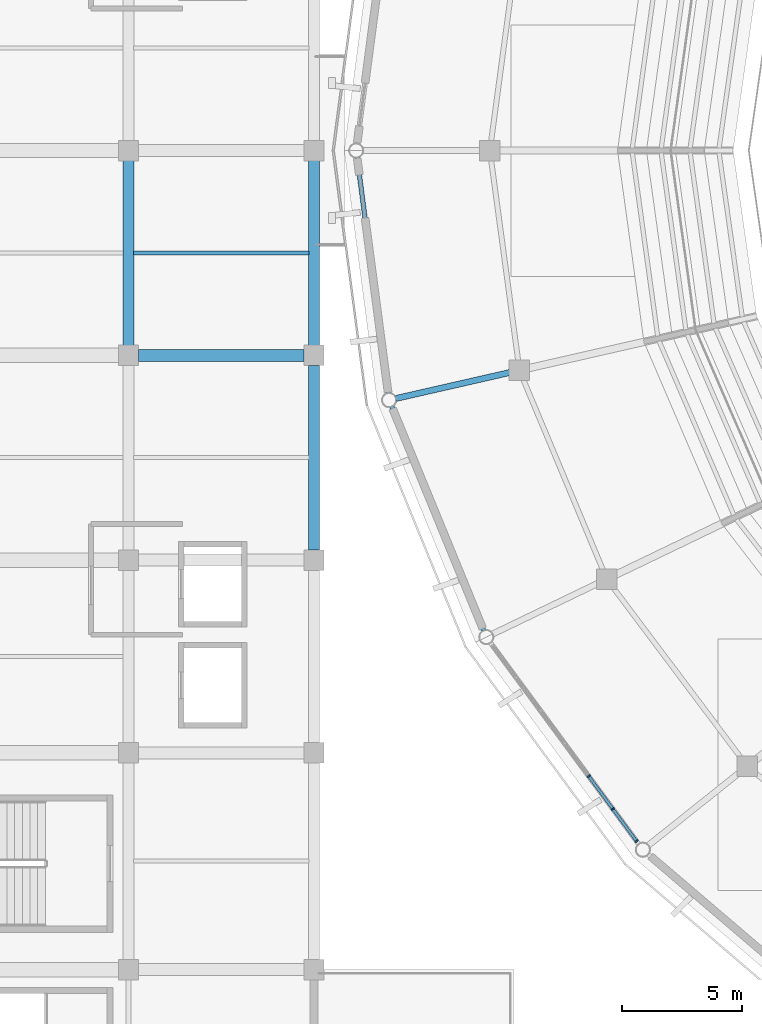
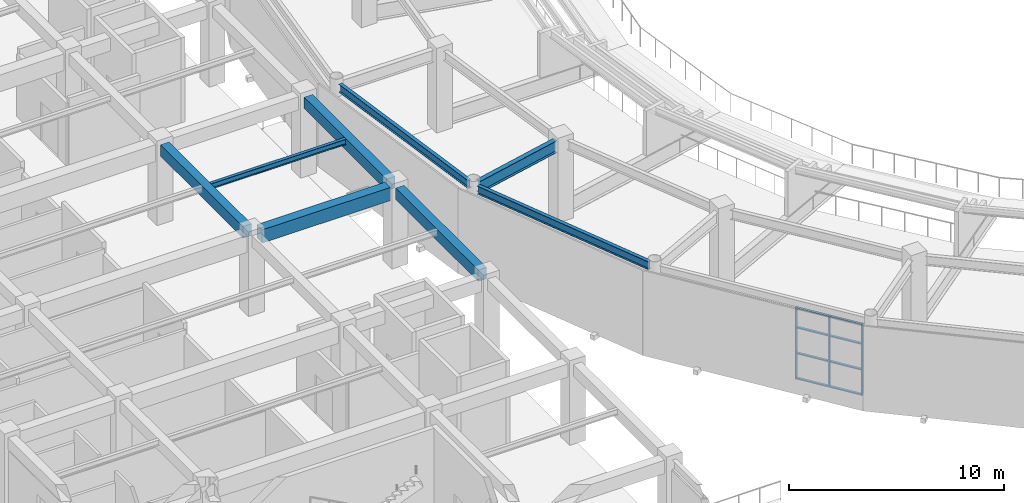
# One storey, part 27 of 122: 11 members, 8 beams, 1 element without a shape of its own.
"""IFC4 building model written with IfcOpenShell, lengths in metres."""

from ifc_helpers import new_model, si_unit, direction, frame, origin, origin_2d, place, context, subcontext, project, spatial, rectangle, i_section, extrude, material, material_profile, profile_set, type_object, element, aggregate, save


model = new_model("IFC4")

# Units and contexts
model_context = context("Model", 3, precision=1e-05, world=origin(), true_north=direction((0.0, 1.0)))
body_context = subcontext(model_context, "Body", "Model", "MODEL_VIEW")
ifc_project = project(units=[si_unit("LENGTHUNIT", "METRE"), si_unit("AREAUNIT", "SQUARE_METRE"), si_unit("VOLUMEUNIT", "CUBIC_METRE"), si_unit("PLANEANGLEUNIT", "RADIAN"), si_unit("MASSUNIT", "GRAM", prefix="KILO")], contexts=[model_context])

# Site, building, storey
site_placement = place(None, origin())
site = spatial("IfcSite", under=ifc_project, at=site_placement, CompositionType="ELEMENT")
building_placement = place(site_placement, origin())
building = spatial("IfcBuilding", under=site, at=building_placement, Name="Cuetzalor Civic Arena", CompositionType="ELEMENT")
storey_placement = place(building_placement, frame((0.0, 0.0, 16.199951171875)))
storey = spatial("IfcBuildingStorey", under=building, at=storey_placement, Name="L03", CompositionType="ELEMENT", Elevation=16.199951171875)

# Beams
ifc_material_1 = material(Name="Concrete C40/50", Category="concrete")
ifc_material_profile_1 = material_profile(ifc_material_1, rectangle(XDim=0.5, YDim=0.75, at=origin_2d()), Name="RC 500x750")
ifc_profile_set_1 = profile_set([ifc_material_profile_1], Name="Concrete C40/50")
beam_type_1 = type_object("IfcBeamType", Name="ConcreteFrameBeam_500x750", PredefinedType="BEAM", material=ifc_profile_set_1)
beam_1_placement = place(storey_placement, frame((-63.5849609375, -8.5, 4.14501953125), z_axis=(1.0, 0.0, 0.0), x_axis=(0.0, 1.0, 0.0)))
element("IfcBeam", 1, at=beam_1_placement, inside=storey, type_object=beam_type_1, Name="Frame Girder V4W-L03-X0900", PredefinedType="BEAM", context=body_context, shape_type="SweptSolid", body=[
    extrude(rectangle(XDim=0.5, YDim=0.75, at=origin_2d()), origin(), (0.0, 0.0, 1.0), 6.869873046875),
])
ifc_material_2 = material(Name="Concrete C40/50", Category="concrete")
ifc_material_profile_2 = material_profile(ifc_material_2, rectangle(XDim=0.449951171875, YDim=0.64990234375, at=origin_2d()), Name="RC 450x650")
ifc_profile_set_2 = profile_set([ifc_material_profile_2], Name="Concrete C40/50")
beam_type_2 = type_object("IfcBeamType", Name="ConcreteTieBeam_450x650", PredefinedType="BEAM", material=ifc_profile_set_2)
for number, where, z_axis, x_axis, name in (
    (2, (-64.0, -8.0849609375, 4.195068359375), (0.0, 1.0, 0.0), (-1.0, 0.0, 0.0), "Frame Girder V4W-L03-Y0941"),
    (3, (-56.300048828125, -16.5849609375, 4.195068359375), (0.0, 1.0, 0.0), (-1.0, 0.0, 0.0), "Frame Girder V4W-L03-Y0950"),
    (4, (-56.300048828125, -8.0849609375, 4.195068359375), (0.0, 1.0, 0.0), (-1.0, 0.0, 0.0), "Frame Girder V4W-L03-Y0951"),
):
    element("IfcBeam", number, at=place(storey_placement, frame(where, z_axis=z_axis, x_axis=x_axis)), inside=storey, type_object=beam_type_2, Name=name, PredefinedType="BEAM", context=body_context, shape_type="SweptSolid", body=[
        extrude(rectangle(XDim=0.449951171875, YDim=0.64990234375, at=origin_2d()), origin(), (0.0, 0.0, 1.0), 7.669921875),
    ])

# Curtain wall, members
ifc_material_3 = material(Name="Anodised dark bronze aluminium and low-E solar glass", Category="aluminium")
curtain_wall_type = type_object("IfcCurtainWallType", Name="UnitisedCW_10150x4050", PredefinedType="USERDEFINED", material=ifc_material_3)
curtain_wall_placement = place(storey_placement, origin())
curtain_wall = element("IfcCurtainWall", 5, at=curtain_wall_placement, inside=storey, type_object=curtain_wall_type, Name="Drum Triangle Foyer Curtain Wall L03-051", ObjectType="UNITISED CURTAIN WALL", PredefinedType="USERDEFINED")
ifc_material_4 = material(Name="Anodised dark bronze aluminium", Category="aluminium")
ifc_material_profile_3 = material_profile(ifc_material_4, rectangle(XDim=0.06494140625, YDim=0.14990234375, at=origin_2d()), Name="ALU MULLION 65x150")
ifc_profile_set_3 = profile_set([ifc_material_profile_3], Name="Anodised dark bronze aluminium")
member_type_1 = type_object("IfcMemberType", Name="CurtainWallMullion_60x150", PredefinedType="MULLION", material=ifc_profile_set_3)
member_1_placement = place(storey_placement, frame((-42.910400390625, -28.66845703125, 0.0), z_axis=(0.0, 0.0, 1.0), x_axis=(-0.59292931222, 0.805254513002, 0.0)))
member_1 = element("IfcMember", 6, at=member_1_placement, type_object=member_type_1, Name="CW-12 mullion 1", PredefinedType="MULLION", context=body_context, shape_type="SweptSolid", body=[
    extrude(rectangle(XDim=0.06494140625, YDim=0.14990234375, at=origin_2d()), origin(), (0.0, 0.0, 1.0), 4.052978515625),
])
member_2_placement = place(storey_placement, frame((-43.8935546875, -27.333251953125, 0.0), z_axis=(0.0, 0.0, 1.0), x_axis=(-0.59292931222, 0.805254513002, 0.0)))
member_2 = element("IfcMember", 7, at=member_2_placement, type_object=member_type_1, Name="CW-12 mullion 2", PredefinedType="MULLION", context=body_context, shape_type="SweptSolid", body=[
    extrude(rectangle(XDim=0.06494140625, YDim=0.14990234375, at=origin_2d()), origin(), (0.0, 0.0, 1.0), 4.052978515625),
])
member_3_placement = place(storey_placement, frame((-44.89599609375, -25.9716796875, 0.0), z_axis=(0.0, 0.0, 1.0), x_axis=(-0.59292931222, 0.805254513002, 0.0)))
member_3 = element("IfcMember", 8, at=member_3_placement, type_object=member_type_1, Name="CW-12 mullion 3", PredefinedType="MULLION", context=body_context, shape_type="SweptSolid", body=[
    extrude(rectangle(XDim=0.06494140625, YDim=0.14990234375, at=origin_2d()), origin(), (0.0, 0.0, 1.0), 4.052978515625),
])
ifc_material_5 = material(Name="Anodised dark bronze aluminium", Category="aluminium")
ifc_material_profile_4 = material_profile(ifc_material_5, rectangle(XDim=0.1201171875, YDim=0.06494140625, at=origin_2d()), Name="ALU TRANSOM 65x120")
ifc_profile_set_4 = profile_set([ifc_material_profile_4], Name="Anodised dark bronze aluminium")
member_type_2 = type_object("IfcMemberType", Name="CurtainWallTransom_60x120", PredefinedType="USERDEFINED", material=ifc_profile_set_4)
member_4_placement = place(storey_placement, frame((-42.9296875, -28.642333984375, 0.032470703125), z_axis=(-0.59289058609, 0.805283026597, 0.0), x_axis=(-0.805283026597, -0.59289058609, 0.0)))
member_4 = element("IfcMember", 9, at=member_4_placement, type_object=member_type_2, Name="CW-12 transom 1.1", ObjectType="TRANSOM", PredefinedType="USERDEFINED", context=body_context, shape_type="SweptSolid", body=[
    extrude(rectangle(XDim=0.1201171875, YDim=0.06494140625, at=origin_2d()), origin(), (0.0, 0.0, 1.0), 1.59326171875),
])
member_5_placement = place(storey_placement, frame((-42.9296875, -28.642333984375, 1.458984375), z_axis=(-0.59289058609, 0.805283026597, 0.0), x_axis=(-0.805283026597, -0.59289058609, 0.0)))
member_5 = element("IfcMember", 10, at=member_5_placement, type_object=member_type_2, Name="CW-12 transom 1.2", ObjectType="TRANSOM", PredefinedType="USERDEFINED", context=body_context, shape_type="SweptSolid", body=[
    extrude(rectangle(XDim=0.1201171875, YDim=0.06494140625, at=origin_2d()), origin(), (0.0, 0.0, 1.0), 1.59326171875),
])
member_6_placement = place(storey_placement, frame((-42.9296875, -28.642333984375, 2.91796875), z_axis=(-0.59289058609, 0.805283026597, 0.0), x_axis=(-0.805283026597, -0.59289058609, 0.0)))
member_6 = element("IfcMember", 11, at=member_6_placement, type_object=member_type_2, Name="CW-12 transom 1.3", ObjectType="TRANSOM", PredefinedType="USERDEFINED", context=body_context, shape_type="SweptSolid", body=[
    extrude(rectangle(XDim=0.1201171875, YDim=0.06494140625, at=origin_2d()), origin(), (0.0, 0.0, 1.0), 1.59326171875),
])
member_7_placement = place(storey_placement, frame((-42.9296875, -28.642333984375, 4.0205078125), z_axis=(-0.59289058609, 0.805283026597, 0.0), x_axis=(-0.805283026597, -0.59289058609, 0.0)))
member_7 = element("IfcMember", 12, at=member_7_placement, type_object=member_type_2, Name="CW-12 transom 1.4", ObjectType="TRANSOM", PredefinedType="USERDEFINED", context=body_context, shape_type="SweptSolid", body=[
    extrude(rectangle(XDim=0.1201171875, YDim=0.06494140625, at=origin_2d()), origin(), (0.0, 0.0, 1.0), 1.59326171875),
])
member_8_placement = place(storey_placement, frame((-43.912841796875, -27.30712890625, 0.032470703125), z_axis=(-0.592912120819, 0.805267171183, 0.0), x_axis=(-0.805267171183, -0.592912120819, 0.0)))
member_8 = element("IfcMember", 13, at=member_8_placement, type_object=member_type_2, Name="CW-12 transom 2.1", ObjectType="TRANSOM", PredefinedType="USERDEFINED", context=body_context, shape_type="SweptSolid", body=[
    extrude(rectangle(XDim=0.1201171875, YDim=0.06494140625, at=origin_2d()), origin(), (0.0, 0.0, 1.0), 1.625732421875),
])
member_9_placement = place(storey_placement, frame((-43.912841796875, -27.30712890625, 1.458984375), z_axis=(-0.592912120819, 0.805267171183, 0.0), x_axis=(-0.805267171183, -0.592912120819, 0.0)))
member_9 = element("IfcMember", 14, at=member_9_placement, type_object=member_type_2, Name="CW-12 transom 2.2", ObjectType="TRANSOM", PredefinedType="USERDEFINED", context=body_context, shape_type="SweptSolid", body=[
    extrude(rectangle(XDim=0.1201171875, YDim=0.06494140625, at=origin_2d()), origin(), (0.0, 0.0, 1.0), 1.625732421875),
])
member_10_placement = place(storey_placement, frame((-43.912841796875, -27.30712890625, 2.91796875), z_axis=(-0.592912120819, 0.805267171183, 0.0), x_axis=(-0.805267171183, -0.592912120819, 0.0)))
member_10 = element("IfcMember", 15, at=member_10_placement, type_object=member_type_2, Name="CW-12 transom 2.3", ObjectType="TRANSOM", PredefinedType="USERDEFINED", context=body_context, shape_type="SweptSolid", body=[
    extrude(rectangle(XDim=0.1201171875, YDim=0.06494140625, at=origin_2d()), origin(), (0.0, 0.0, 1.0), 1.625732421875),
])
member_11_placement = place(storey_placement, frame((-43.912841796875, -27.30712890625, 4.0205078125), z_axis=(-0.592912120819, 0.805267171183, 0.0), x_axis=(-0.805267171183, -0.592912120819, 0.0)))
member_11 = element("IfcMember", 16, at=member_11_placement, type_object=member_type_2, Name="CW-12 transom 2.4", ObjectType="TRANSOM", PredefinedType="USERDEFINED", context=body_context, shape_type="SweptSolid", body=[
    extrude(rectangle(XDim=0.1201171875, YDim=0.06494140625, at=origin_2d()), origin(), (0.0, 0.0, 1.0), 1.625732421875),
])
aggregate(curtain_wall, [member_1, member_2, member_3, member_4, member_5, member_6, member_7, member_8, member_9, member_10, member_11])

# Beams
ifc_material_6 = material(Name="Steel S355", Category="steel")
ifc_material_profile_5 = material_profile(ifc_material_6, i_section(OverallWidth=0.18994140625, OverallDepth=0.45703125, WebThickness=0.009033203125, FlangeThickness=0.014404296875, at=origin_2d()), Name="W460x74")
ifc_profile_set_5 = profile_set([ifc_material_profile_5], Name="Steel S355")
beam_type_3 = type_object("IfcBeamType", Name="FacadeSpandrelBeam_W460", PredefinedType="SPANDREL", material=ifc_profile_set_5)
beam_2_placement = place(storey_placement, frame((-54.511962890625, -0.28759765625, 4.29150390625), z_axis=(0.130901206694, -0.991395417624, 0.0), x_axis=(0.991395417624, 0.130901206694, 0.0)))
element("IfcBeam", 17, at=beam_2_placement, inside=storey, type_object=beam_type_3, Name="Drum Perimeter Spandrel L03-S15", PredefinedType="SPANDREL", context=body_context, shape_type="SweptSolid", body=[
    extrude(i_section(OverallWidth=0.18994140625, OverallDepth=0.45703125, WebThickness=0.009033203125, FlangeThickness=0.014404296875, at=origin_2d()), origin(), (0.0, 0.0, 1.0), 9.8681640625),
])
beam_3_placement = place(storey_placement, frame((-53.072265625, -10.626708984375, 4.29150390625), z_axis=(0.379398599643, -0.925233323324, 0.0), x_axis=(0.925233323324, 0.379398599643, 0.0)))
element("IfcBeam", 18, at=beam_3_placement, inside=storey, type_object=beam_type_3, Name="Drum Perimeter Spandrel L03-S16", PredefinedType="SPANDREL", context=body_context, shape_type="SweptSolid", body=[
    extrude(i_section(OverallWidth=0.18994140625, OverallDepth=0.45703125, WebThickness=0.009033203125, FlangeThickness=0.014404296875, at=origin_2d()), origin(), (0.0, 0.0, 1.0), 10.053955078125),
])
ifc_material_7 = material(Name="Steel S355", Category="steel")
ifc_material_profile_6 = material_profile(ifc_material_7, i_section(OverallWidth=0.166015625, OverallDepth=0.31298828125, WebThickness=0.006591796875, FlangeThickness=0.01123046875, at=origin_2d()), Name="W310x45")
ifc_profile_set_6 = profile_set([ifc_material_profile_6], Name="Steel S355")
beam_type_4 = type_object("IfcBeamType", Name="SecondaryRoofJoist_W310", PredefinedType="JOIST", material=ifc_profile_set_6)
beam_4_placement = place(storey_placement, frame((-63.782958984375, -4.25, 4.363525390625), z_axis=(1.0, 0.0, 0.0), x_axis=(0.0, 1.0, 0.0)))
element("IfcBeam", 19, at=beam_4_placement, inside=storey, type_object=beam_type_4, Name="Secondary Floor Joist V4W-L03-0288", PredefinedType="JOIST", context=body_context, shape_type="SweptSolid", body=[
    extrude(i_section(OverallWidth=0.166015625, OverallDepth=0.31298828125, WebThickness=0.006591796875, FlangeThickness=0.01123046875, at=origin_2d()), origin(), (0.0, 0.0, 1.0), 7.265869140625),
])
ifc_material_8 = material(Name="Steel S355", Category="steel")
ifc_material_profile_7 = material_profile(ifc_material_8, i_section(OverallWidth=0.2529296875, OverallDepth=0.677978515625, WebThickness=0.01171875, FlangeThickness=0.016357421875, at=origin_2d()), Name="W690x125")
ifc_profile_set_7 = profile_set([ifc_material_profile_7], Name="Steel S355")
beam_type_5 = type_object("IfcBeamType", Name="SteelPrimaryGirder_W690", PredefinedType="BEAM", material=ifc_profile_set_7)
beam_5_placement = place(storey_placement, frame((-48.12255859375, -9.20361328125, 4.18115234375), z_axis=(-0.974939153271, -0.222471677792, 0.0), x_axis=(0.222471677792, -0.974939153271, 0.0)))
element("IfcBeam", 20, at=beam_5_placement, inside=storey, type_object=beam_type_5, Name="Drum Radial Girder L03-R16", PredefinedType="BEAM", context=body_context, shape_type="SweptSolid", body=[
    extrude(i_section(OverallWidth=0.2529296875, OverallDepth=0.677978515625, WebThickness=0.01171875, FlangeThickness=0.016357421875, at=origin_2d()), origin(), (0.0, 0.0, 1.0), 4.89990234375),
])

save(model, "model.ifc")
